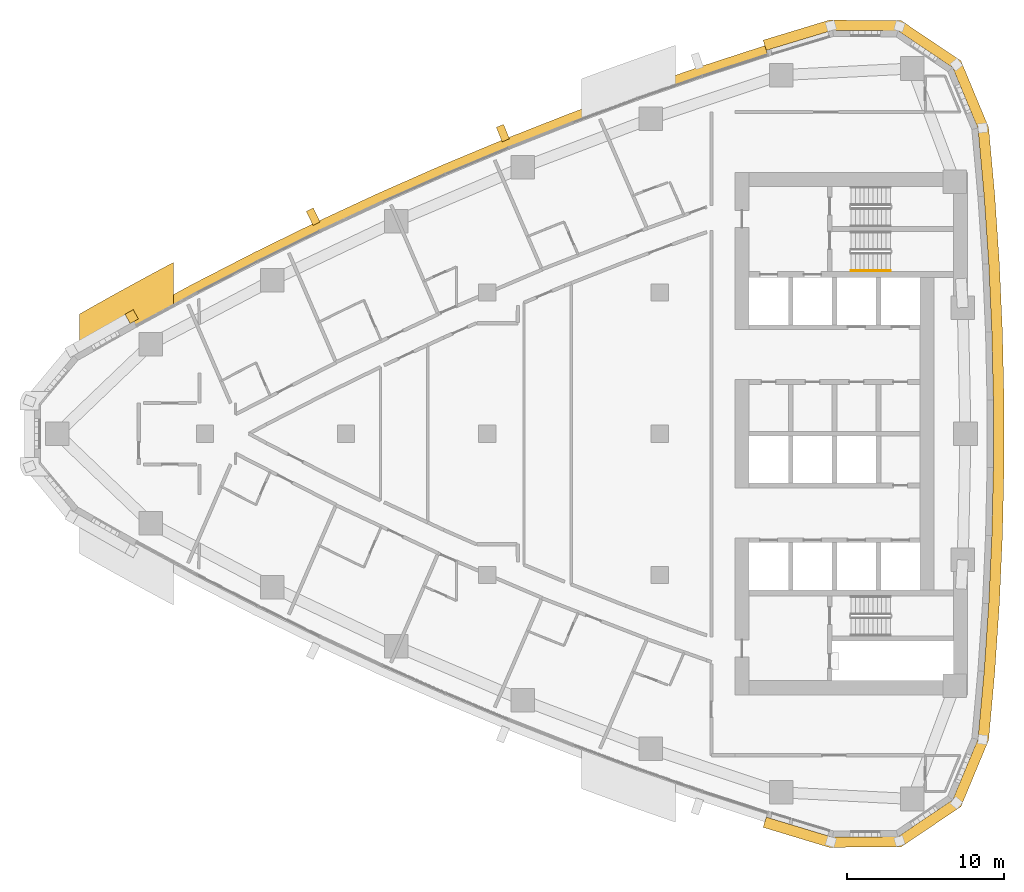
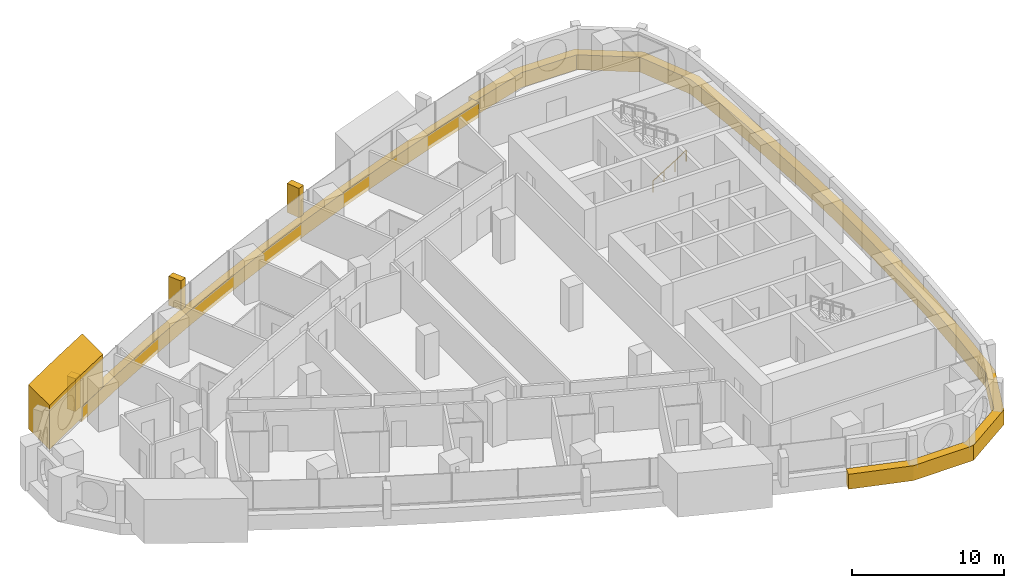
# One storey, part 16 of 17: 6 coverings, 1 railing.
"""IFC4 building model written with IfcOpenShell, lengths in metres."""

from ifc_helpers import new_model, si_unit, direction, frame, frame_2d, origin, origin_2d, place, context, subcontext, project, spatial, polyline, rectangle, circle, outline, extrude, material, layer, layer_set, type_object, element, save


model = new_model("IFC4")

# Units and contexts
model_context = context("Model", 3, precision=1e-05, world=origin(), true_north=direction((0.0, 1.0)))
body_context = subcontext(model_context, "Body", "Model", "MODEL_VIEW")
ifc_project = project(units=[si_unit("LENGTHUNIT", "METRE"), si_unit("AREAUNIT", "SQUARE_METRE"), si_unit("VOLUMEUNIT", "CUBIC_METRE"), si_unit("PLANEANGLEUNIT", "RADIAN"), si_unit("MASSUNIT", "GRAM", prefix="KILO")], contexts=[model_context])

# Site, building, storey
site_placement = place(None, origin())
site = spatial("IfcSite", under=ifc_project, at=site_placement, CompositionType="ELEMENT")
building_placement = place(site_placement, origin())
building = spatial("IfcBuilding", under=site, at=building_placement, Name="Ostrand Prow Hotel Tower", CompositionType="ELEMENT")
storey_placement = place(building_placement, frame((0.0, 0.0, 140.85009765625)))
storey = spatial("IfcBuildingStorey", under=building, at=storey_placement, Name="L34", CompositionType="ELEMENT", Elevation=140.85009765625)

# Coverings
ifc_material_1 = material(Name="Bronze anodised aluminium cladding", Category="aluminium")
ifc_layer_1 = layer(ifc_material_1, 0.60009765625)
ifc_layer_set_1 = layer_set([ifc_layer_1], Name="Bronze anodised aluminium cladding")
covering_type_1 = type_object("IfcCoveringType", Name="Bronze spandrel band 1200x600", PredefinedType="CLADDING", material=ifc_layer_set_1)
covering_1_placement = place(storey_placement, frame((0.0, 0.0, -0.300048828125)))
element("IfcCovering", 1, at=covering_1_placement, inside=storey, type_object=covering_type_1, Name="Spandrel band N1", PredefinedType="CLADDING", context=body_context, shape_type="SweptSolid", body=[
    extrude(outline(polyline([(51.705322265625, 24.74560546875), (47.522705078125, 23.385009765625), (43.368408203125, 21.9404296875), (39.243896484375, 20.41259765625), (35.15087890625, 18.80224609375), (31.091064453125, 17.110107421875), (27.06591796875, 15.336669921875), (23.077392578125, 13.482666015625), (19.126953125, 11.548828125), (15.21630859375, 9.535888671875), (11.3466796875, 7.445068359375), (11.63720703125, 6.920166015625), (15.49609375, 9.00537109375), (19.396240234375, 11.0126953125), (23.335693359375, 12.941162109375), (27.3134765625, 14.7900390625), (31.327392578125, 16.55859375), (35.376220703125, 18.24609375), (39.457763671875, 19.85205078125), (43.571044921875, 21.375732421875), (47.714111328125, 22.81640625), (51.88525390625, 24.17333984375), (51.705322265625, 24.74560546875)])), origin(), (0.0, 0.0, 1.0), 1.199951171875),
])
covering_2_placement = place(storey_placement, frame((0.0, 0.0, -0.300048828125)))
element("IfcCovering", 2, at=covering_2_placement, inside=storey, type_object=covering_type_1, Name="Spandrel band back 1", PredefinedType="CLADDING", context=body_context, shape_type="SweptSolid", body=[
    extrude(outline(polyline([(51.594970703125, -25.0966796875), (55.811279296875, -26.375244140625), (60.402099609375, -26.339111328125), (64.211181640625, -23.77587890625), (65.973388671875, -19.53662109375), (66.3662109375, -15.205322265625), (66.66064453125, -10.86669921875), (66.857177734375, -6.522216796875), (66.95556640625, -2.17431640625), (66.95556640625, 2.17431640625), (66.857177734375, 6.522216796875), (66.66064453125, 10.86669921875), (66.3662109375, 15.205322265625), (65.973388671875, 19.53662109375), (64.211181640625, 23.77587890625), (60.402099609375, 26.339111328125), (55.811279296875, 26.375244140625), (51.594970703125, 25.0966796875), (51.798828125, 24.447998046875), (56.001953125, 25.722412109375), (60.201171875, 25.689697265625), (63.68505859375, 23.34521484375), (65.296875, 19.467529296875), (65.688232421875, 15.151611328125), (65.981689453125, 10.828125), (66.177490234375, 6.4990234375), (66.275634765625, 2.166748046875), (66.275634765625, -2.166748046875), (66.177490234375, -6.4990234375), (65.981689453125, -10.828125), (65.688232421875, -15.151611328125), (65.296875, -19.467529296875), (63.68505859375, -23.34521484375), (60.201171875, -25.689697265625), (56.001953125, -25.722412109375), (51.798828125, -24.447998046875), (51.594970703125, -25.0966796875)])), origin(), (0.0, 0.0, 1.0), 1.199951171875),
])
ifc_material_2 = material(Name="Limestone cladding", Category="masonry")
ifc_layer_2 = layer(ifc_material_2, 5.0)
ifc_layer_set_2 = layer_set([ifc_layer_2], Name="Limestone cladding")
covering_type_2 = type_object("IfcCoveringType", Name="Portal jamb pilaster limestone", PredefinedType="CLADDING", material=ifc_layer_set_2)
covering_3_placement = place(storey_placement, origin())
element("IfcCovering", 3, at=covering_3_placement, inside=storey, type_object=covering_type_2, Name="Portal jamb NA L34", PredefinedType="CLADDING", context=body_context, shape_type="SweptSolid", body=[
    extrude(outline(polyline([(8.0, 4.861572265625), (9.0, 5.436767578125), (10.0, 6.0048828125), (11.0, 6.566162109375), (12.0, 7.12060546875), (13.0, 7.66796875), (14.0, 8.208740234375), (14.0, 10.92919921875), (13.0, 10.39599609375), (12.0, 9.856201171875), (11.0, 9.3095703125), (10.0, 8.75634765625), (9.0, 8.1962890625), (8.0, 7.62939453125), (8.0, 4.861572265625)])), origin(), (0.0, 0.0, 1.0), 3.5498046875),
])
ifc_material_3 = material(Name="Limestone cladding", Category="masonry")
ifc_layer_3 = layer(ifc_material_3, 0.5)
ifc_layer_set_3 = layer_set([ifc_layer_3], Name="Limestone cladding")
covering_type_3 = type_object("IfcCoveringType", Name="Precast stone fin 500x900", PredefinedType="CLADDING", material=ifc_layer_set_3)
covering_4_placement = place(storey_placement, frame((35.188232421875, 18.709716796875, 0.89990234375), z_axis=(0.0, 0.0, 1.0), x_axis=(-0.375302653349, 0.926902324082, 0.0)))
element("IfcCovering", 4, at=covering_4_placement, inside=storey, type_object=covering_type_3, Name="Stone fin N 5", PredefinedType="CLADDING", context=body_context, shape_type="SweptSolid", body=[
    extrude(rectangle(XDim=0.999755859375, YDim=0.5, at=frame_2d((0.5, 0.0))), origin(), (0.0, 0.0, 1.0), 2.35009765625),
])
covering_5_placement = place(storey_placement, frame((23.12060546875, 13.392333984375, 0.89990234375), z_axis=(0.0, 0.0, 1.0), x_axis=(-0.430634686673, 0.902526324621, 0.0)))
element("IfcCovering", 5, at=covering_5_placement, inside=storey, type_object=covering_type_3, Name="Stone fin N 8", PredefinedType="CLADDING", context=body_context, shape_type="SweptSolid", body=[
    extrude(rectangle(XDim=1.0, YDim=0.5, at=frame_2d((0.5, 0.0))), origin(), (0.0, 0.0, 1.0), 2.35009765625),
])
ifc_material_4 = material(Name="Limestone cladding", Category="masonry")
ifc_layer_4 = layer(ifc_material_4, 0.60009765625)
ifc_layer_set_4 = layer_set([ifc_layer_4], Name="Limestone cladding")
covering_type_4 = type_object("IfcCoveringType", Name="Precast stone prow rib 600x600", PredefinedType="CLADDING", material=ifc_layer_set_4)
covering_6_placement = place(storey_placement, frame((11.497802734375, 7.171875, 0.599853515625), z_axis=(0.0, 0.0, 1.0), x_axis=(-0.484301161624, 0.874901357211, 0.0)))
element("IfcCovering", 6, at=covering_6_placement, inside=storey, type_object=covering_type_4, Name="Stone prow rib 1", PredefinedType="CLADDING", context=body_context, shape_type="SweptSolid", body=[
    extrude(rectangle(XDim=0.679931640625, YDim=0.60009765625, at=frame_2d((0.33984375, 0.0))), origin(), (0.0, 0.0, 1.0), 2.650146484375),
])

# Railing
ifc_material_5 = material(Name="Stainless steel", Category="steel")
railing_type = type_object("IfcRailingType", Name="Stair handrail 900", PredefinedType="HANDRAIL", material=ifc_material_5)
railing_placement = place(storey_placement, frame((57.199951171875, 10.39990234375, 0.177490234375)))
element("IfcRailing", 7, at=railing_placement, inside=storey, type_object=railing_type, Name="L34 ST1C stair handrail 1", PredefinedType="HANDRAIL", context=body_context, shape_type="SweptSolid", body=[
    extrude(circle(Radius=0.02392578125, at=origin_2d()), frame((0.0, 0.0, 0.8759765625), z_axis=(0.84460694969, 0.0, 0.535386869969), x_axis=(0.0, 1.0, 0.0)), (0.0, 0.0, 1.0), 2.983642578125),
    extrude(circle(Radius=0.02099609375, at=origin_2d()), origin(), (0.0, 0.0, 1.0), 0.851806640625),
    extrude(circle(Radius=0.02099609375, at=origin_2d()), frame((0.840087890625, 0.0, 0.532470703125)), (0.0, 0.0, 1.0), 0.851806640625),
    extrude(circle(Radius=0.02099609375, at=origin_2d()), frame((1.679931640625, 0.0, 1.06494140625)), (0.0, 0.0, 1.0), 0.851806640625),
    extrude(circle(Radius=0.02099609375, at=origin_2d()), frame((2.52001953125, 0.0, 1.597412109375)), (0.0, 0.0, 1.0), 0.851806640625),
])

save(model, "model.ifc")
